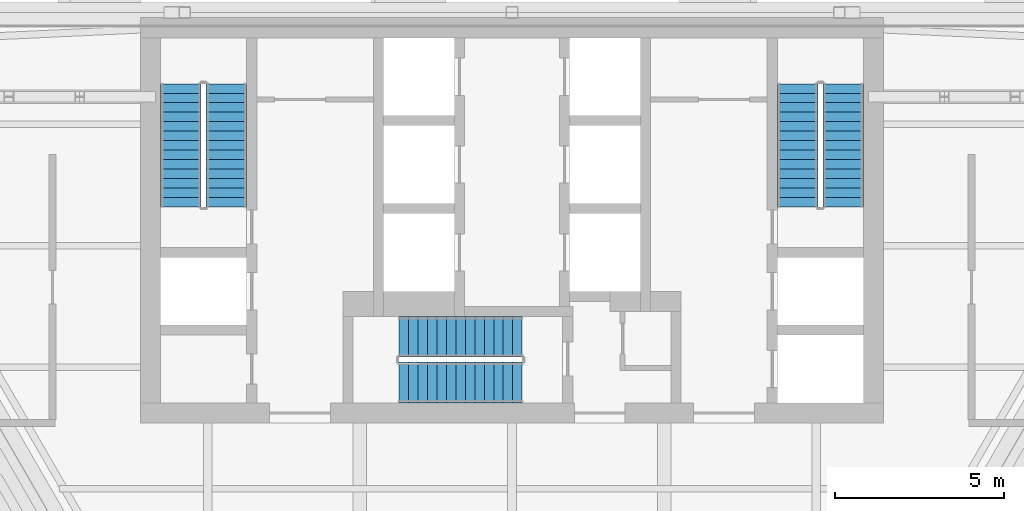
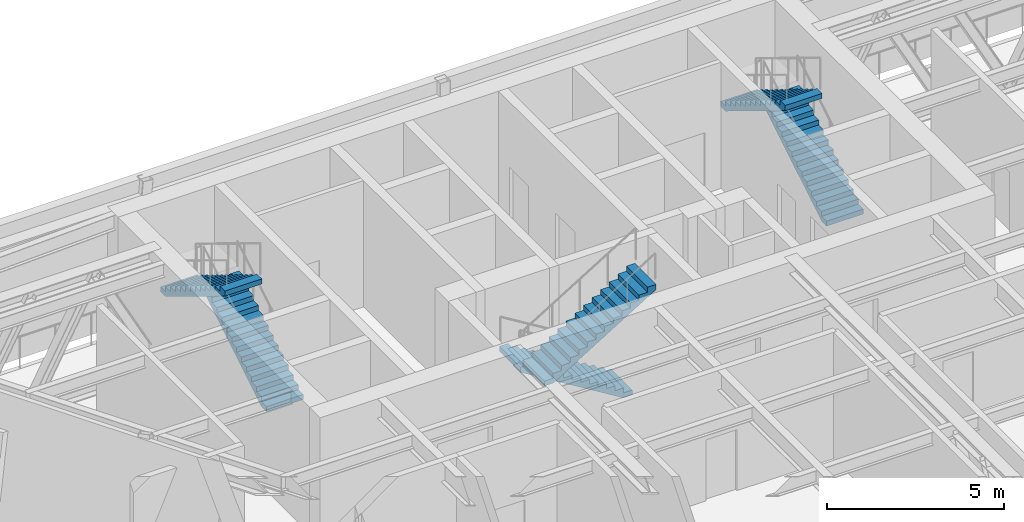
# One storey, part 5 of 11: 6 stair flights, 3 elements without a shape of their own.
"""IFC4 building model written with IfcOpenShell, lengths in metres."""

from ifc_helpers import new_model, si_unit, direction, frame, origin, place, context, subcontext, project, spatial, polyline, outline, extrude, material, type_object, element, aggregate, save


model = new_model("IFC4")

# Units and contexts
model_context = context("Model", 3, precision=1e-05, world=origin(), true_north=direction((0.0, 1.0)))
body_context = subcontext(model_context, "Body", "Model", "MODEL_VIEW")
ifc_project = project(units=[si_unit("LENGTHUNIT", "METRE"), si_unit("AREAUNIT", "SQUARE_METRE"), si_unit("VOLUMEUNIT", "CUBIC_METRE"), si_unit("PLANEANGLEUNIT", "RADIAN"), si_unit("MASSUNIT", "GRAM", prefix="KILO")], contexts=[model_context])

# Site, building, storey
site_placement = place(None, origin())
site = spatial("IfcSite", under=ifc_project, at=site_placement, CompositionType="ELEMENT")
building_placement = place(site_placement, origin())
building = spatial("IfcBuilding", under=site, at=building_placement, Name="Aloe Facet Convention Tower", CompositionType="ELEMENT")
storey_placement = place(building_placement, frame((0.0, 0.0, 175.39990234375)))
storey = spatial("IfcBuildingStorey", under=building, at=storey_placement, Name="L44", CompositionType="ELEMENT", Elevation=175.39990234375)

# Stair, stair flights
ifc_material_1 = material(Name="Concrete C50/60", Category="concrete")
stair_type = type_object("IfcStairType", Name="CR-ST-28R", PredefinedType="HALF_TURN_STAIR", material=ifc_material_1)
stair_1_placement = place(storey_placement, origin())
stair_1 = element("IfcStair", 1, at=stair_1_placement, inside=storey, type_object=stair_type, Name="L44 Protected exit stair ST1", PredefinedType="HALF_TURN_STAIR")
ifc_material_2 = material(Name="Concrete C50/60", Category="concrete")
stair_flight_type = type_object("IfcStairFlightType", Name="CR-SFL-28R", PredefinedType="STRAIGHT", material=ifc_material_2)
stair_flight_1_placement = place(storey_placement, frame((71.550048828125, 128.949951171875, 0.0), z_axis=(0.0, 0.0, 1.0), x_axis=(0.0, 1.0, 0.0)))
stair_flight_1 = element("IfcStairFlight", 2, at=stair_flight_1_placement, type_object=stair_flight_type, Name="ST1 flight 1", NumberOfRisers=14, NumberOfTreads=13, PredefinedType="STRAIGHT", RiserHeight=0.171428571, TreadLength=0.28, context=body_context, shape_type="SweptSolid", body=[
    extrude(outline(polyline([(0.0, 0.0), (0.0, 0.17138671875), (0.280029296875, 0.17138671875), (0.280029296875, 0.3427734375), (0.56005859375, 0.3427734375), (0.56005859375, 0.514404296875), (0.840087890625, 0.514404296875), (0.840087890625, 0.685791015625), (1.1201171875, 0.685791015625), (1.1201171875, 0.857177734375), (1.39990234375, 0.857177734375), (1.39990234375, 1.028564453125), (1.679931640625, 1.028564453125), (1.679931640625, 1.199951171875), (1.9599609375, 1.199951171875), (1.9599609375, 1.371337890625), (2.239990234375, 1.371337890625), (2.239990234375, 1.54296875), (2.52001953125, 1.54296875), (2.52001953125, 1.71435546875), (2.800048828125, 1.71435546875), (2.800048828125, 1.8857421875), (3.080078125, 1.8857421875), (3.080078125, 2.05712890625), (3.360107421875, 2.05712890625), (3.360107421875, 2.228515625), (3.639892578125, 2.228515625), (3.639892578125, 2.39990234375), (3.639892578125, 2.052734375), (0.287109375, 0.0), (0.0, 0.0)])), frame((0.0, 0.60009765625, 0.0), z_axis=(0.0, -1.0, 0.0), x_axis=(1.0, 0.0, 0.0)), (0.0, 0.0, 1.0), 1.199951171875),
])
stair_flight_2_placement = place(storey_placement, frame((70.199951171875, 132.590087890625, 2.400146484375), z_axis=(0.0, 0.0, 1.0), x_axis=(0.0, -1.0, 0.0)))
stair_flight_2 = element("IfcStairFlight", 3, at=stair_flight_2_placement, type_object=stair_flight_type, Name="ST1 flight 2", NumberOfRisers=14, NumberOfTreads=13, PredefinedType="STRAIGHT", RiserHeight=0.171428571, TreadLength=0.28, context=body_context, shape_type="SweptSolid", body=[
    extrude(outline(polyline([(0.0, 0.0), (0.0, 0.17138671875), (0.280029296875, 0.17138671875), (0.280029296875, 0.3427734375), (0.56005859375, 0.3427734375), (0.56005859375, 0.514404296875), (0.840087890625, 0.514404296875), (0.840087890625, 0.685791015625), (1.1201171875, 0.685791015625), (1.1201171875, 0.857177734375), (1.39990234375, 0.857177734375), (1.39990234375, 1.028564453125), (1.679931640625, 1.028564453125), (1.679931640625, 1.199951171875), (1.9599609375, 1.199951171875), (1.9599609375, 1.371337890625), (2.239990234375, 1.371337890625), (2.239990234375, 1.54296875), (2.52001953125, 1.54296875), (2.52001953125, 1.71435546875), (2.800048828125, 1.71435546875), (2.800048828125, 1.8857421875), (3.080078125, 1.8857421875), (3.080078125, 2.05712890625), (3.360107421875, 2.05712890625), (3.360107421875, 2.228515625), (3.639892578125, 2.228515625), (3.639892578125, 2.39990234375), (3.639892578125, 2.052734375), (0.287109375, 0.0), (0.0, 0.0)])), frame((0.0, 0.60009765625, 0.0), z_axis=(0.0, -1.0, 0.0), x_axis=(1.0, 0.0, 0.0)), (0.0, 0.0, 1.0), 1.199951171875),
])
aggregate(stair_1, [stair_flight_1, stair_flight_2])

stair_2_placement = place(storey_placement, origin())
stair_2 = element("IfcStair", 4, at=stair_2_placement, inside=storey, type_object=stair_type, Name="L44 Protected exit stair ST2", PredefinedType="HALF_TURN_STAIR")
stair_flight_3_placement = place(storey_placement, frame((89.800048828125, 128.949951171875, 0.0), z_axis=(0.0, 0.0, 1.0), x_axis=(0.0, 1.0, 0.0)))
stair_flight_3 = element("IfcStairFlight", 5, at=stair_flight_3_placement, type_object=stair_flight_type, Name="ST2 flight 1", NumberOfRisers=14, NumberOfTreads=13, PredefinedType="STRAIGHT", RiserHeight=0.171428571, TreadLength=0.28, context=body_context, shape_type="SweptSolid", body=[
    extrude(outline(polyline([(0.0, 0.0), (0.0, 0.17138671875), (0.280029296875, 0.17138671875), (0.280029296875, 0.3427734375), (0.56005859375, 0.3427734375), (0.56005859375, 0.514404296875), (0.840087890625, 0.514404296875), (0.840087890625, 0.685791015625), (1.1201171875, 0.685791015625), (1.1201171875, 0.857177734375), (1.39990234375, 0.857177734375), (1.39990234375, 1.028564453125), (1.679931640625, 1.028564453125), (1.679931640625, 1.199951171875), (1.9599609375, 1.199951171875), (1.9599609375, 1.371337890625), (2.239990234375, 1.371337890625), (2.239990234375, 1.54296875), (2.52001953125, 1.54296875), (2.52001953125, 1.71435546875), (2.800048828125, 1.71435546875), (2.800048828125, 1.8857421875), (3.080078125, 1.8857421875), (3.080078125, 2.05712890625), (3.360107421875, 2.05712890625), (3.360107421875, 2.228515625), (3.639892578125, 2.228515625), (3.639892578125, 2.39990234375), (3.639892578125, 2.052734375), (0.287109375, 0.0), (0.0, 0.0)])), frame((0.0, 0.60009765625, 0.0), z_axis=(0.0, -1.0, 0.0), x_axis=(1.0, 0.0, 0.0)), (0.0, 0.0, 1.0), 1.199951171875),
])
stair_flight_4_placement = place(storey_placement, frame((88.449951171875, 132.590087890625, 2.400146484375), z_axis=(0.0, 0.0, 1.0), x_axis=(0.0, -1.0, 0.0)))
stair_flight_4 = element("IfcStairFlight", 6, at=stair_flight_4_placement, type_object=stair_flight_type, Name="ST2 flight 2", NumberOfRisers=14, NumberOfTreads=13, PredefinedType="STRAIGHT", RiserHeight=0.171428571, TreadLength=0.28, context=body_context, shape_type="SweptSolid", body=[
    extrude(outline(polyline([(0.0, 0.0), (0.0, 0.17138671875), (0.280029296875, 0.17138671875), (0.280029296875, 0.3427734375), (0.56005859375, 0.3427734375), (0.56005859375, 0.514404296875), (0.840087890625, 0.514404296875), (0.840087890625, 0.685791015625), (1.1201171875, 0.685791015625), (1.1201171875, 0.857177734375), (1.39990234375, 0.857177734375), (1.39990234375, 1.028564453125), (1.679931640625, 1.028564453125), (1.679931640625, 1.199951171875), (1.9599609375, 1.199951171875), (1.9599609375, 1.371337890625), (2.239990234375, 1.371337890625), (2.239990234375, 1.54296875), (2.52001953125, 1.54296875), (2.52001953125, 1.71435546875), (2.800048828125, 1.71435546875), (2.800048828125, 1.8857421875), (3.080078125, 1.8857421875), (3.080078125, 2.05712890625), (3.360107421875, 2.05712890625), (3.360107421875, 2.228515625), (3.639892578125, 2.228515625), (3.639892578125, 2.39990234375), (3.639892578125, 2.052734375), (0.287109375, 0.0), (0.0, 0.0)])), frame((0.0, 0.60009765625, 0.0), z_axis=(0.0, -1.0, 0.0), x_axis=(1.0, 0.0, 0.0)), (0.0, 0.0, 1.0), 1.199951171875),
])
aggregate(stair_2, [stair_flight_3, stair_flight_4])

stair_3_placement = place(storey_placement, origin())
stair_3 = element("IfcStair", 7, at=stair_3_placement, inside=storey, type_object=stair_type, Name="L44 Protected exit stair ST3", PredefinedType="HALF_TURN_STAIR")
stair_flight_5_placement = place(storey_placement, frame((80.300048828125, 125.10009765625, 0.0), z_axis=(0.0, 0.0, 1.0), x_axis=(-1.0, 0.0, 0.0)))
stair_flight_5 = element("IfcStairFlight", 8, at=stair_flight_5_placement, type_object=stair_flight_type, Name="ST3 flight 1", NumberOfRisers=14, NumberOfTreads=13, PredefinedType="STRAIGHT", RiserHeight=0.171428571, TreadLength=0.28, context=body_context, shape_type="SweptSolid", body=[
    extrude(outline(polyline([(0.0, 0.0), (0.0, 0.17138671875), (0.280029296875, 0.17138671875), (0.280029296875, 0.3427734375), (0.56005859375, 0.3427734375), (0.56005859375, 0.514404296875), (0.840087890625, 0.514404296875), (0.840087890625, 0.685791015625), (1.1201171875, 0.685791015625), (1.1201171875, 0.857177734375), (1.39990234375, 0.857177734375), (1.39990234375, 1.028564453125), (1.679931640625, 1.028564453125), (1.679931640625, 1.199951171875), (1.9599609375, 1.199951171875), (1.9599609375, 1.371337890625), (2.239990234375, 1.371337890625), (2.239990234375, 1.54296875), (2.52001953125, 1.54296875), (2.52001953125, 1.71435546875), (2.800048828125, 1.71435546875), (2.800048828125, 1.8857421875), (3.080078125, 1.8857421875), (3.080078125, 2.05712890625), (3.360107421875, 2.05712890625), (3.360107421875, 2.228515625), (3.639892578125, 2.228515625), (3.639892578125, 2.39990234375), (3.639892578125, 2.052734375), (0.287109375, 0.0), (0.0, 0.0)])), frame((0.0, 0.60009765625, 0.0), z_axis=(0.0, -1.0, 0.0), x_axis=(1.0, 0.0, 0.0)), (0.0, 0.0, 1.0), 1.199951171875),
])
stair_flight_6_placement = place(storey_placement, frame((76.659912109375, 123.75, 2.400146484375), z_axis=(0.0, 0.0, 1.0), x_axis=(1.0, 0.0, 0.0)))
stair_flight_6 = element("IfcStairFlight", 9, at=stair_flight_6_placement, type_object=stair_flight_type, Name="ST3 flight 2", NumberOfRisers=14, NumberOfTreads=13, PredefinedType="STRAIGHT", RiserHeight=0.171428571, TreadLength=0.28, context=body_context, shape_type="SweptSolid", body=[
    extrude(outline(polyline([(0.0, 0.0), (0.0, 0.17138671875), (0.280029296875, 0.17138671875), (0.280029296875, 0.3427734375), (0.56005859375, 0.3427734375), (0.56005859375, 0.514404296875), (0.840087890625, 0.514404296875), (0.840087890625, 0.685791015625), (1.1201171875, 0.685791015625), (1.1201171875, 0.857177734375), (1.39990234375, 0.857177734375), (1.39990234375, 1.028564453125), (1.679931640625, 1.028564453125), (1.679931640625, 1.199951171875), (1.9599609375, 1.199951171875), (1.9599609375, 1.371337890625), (2.239990234375, 1.371337890625), (2.239990234375, 1.54296875), (2.52001953125, 1.54296875), (2.52001953125, 1.71435546875), (2.800048828125, 1.71435546875), (2.800048828125, 1.8857421875), (3.080078125, 1.8857421875), (3.080078125, 2.05712890625), (3.360107421875, 2.05712890625), (3.360107421875, 2.228515625), (3.639892578125, 2.228515625), (3.639892578125, 2.39990234375), (3.639892578125, 2.052734375), (0.287109375, 0.0), (0.0, 0.0)])), frame((0.0, 0.60009765625, 0.0), z_axis=(0.0, -1.0, 0.0), x_axis=(1.0, 0.0, 0.0)), (0.0, 0.0, 1.0), 1.199951171875),
])
aggregate(stair_3, [stair_flight_5, stair_flight_6])

save(model, "model.ifc")
